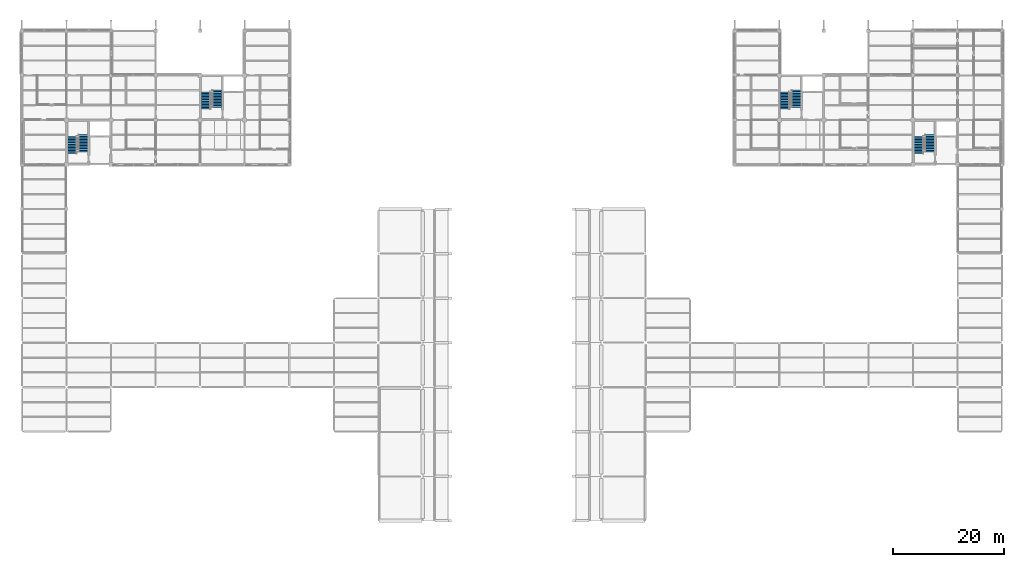
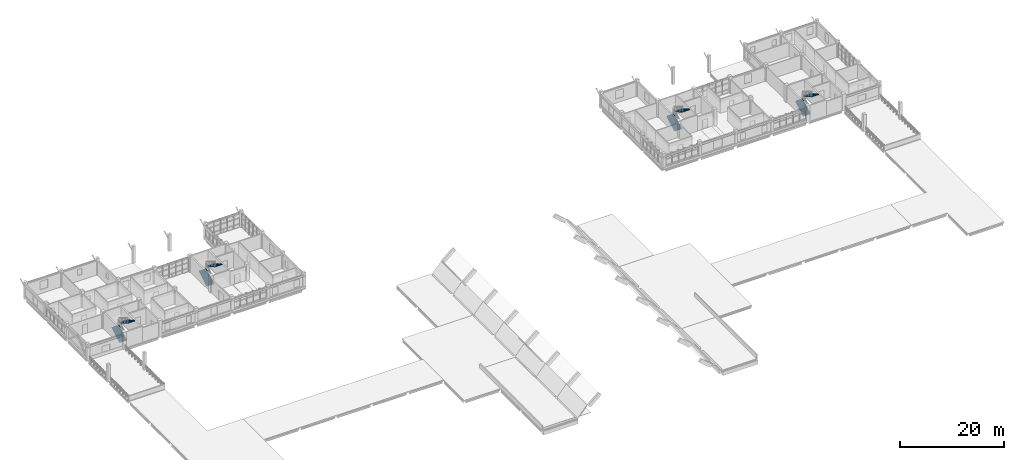
# One storey, part 29 of 35: 8 stair flights, 4 elements without a shape of their own.
"""IFC4 building model written with IfcOpenShell, lengths in metres."""

from ifc_helpers import new_model, si_unit, derived_unit, direction, frame, origin, place, context, subcontext, project, spatial, polyline, outline, extrude, material, type_object, element, aggregate, save


model = new_model("IFC4")

# Units and contexts
model_context = context("Model", 3, precision=1e-05, world=origin(), true_north=direction((0.0, 1.0)))
body_context = subcontext(model_context, "Body", "Model", "MODEL_VIEW")
ifc_project = project(units=[si_unit("LENGTHUNIT", "METRE"), si_unit("AREAUNIT", "SQUARE_METRE"), si_unit("VOLUMEUNIT", "CUBIC_METRE"), si_unit("PLANEANGLEUNIT", "RADIAN"), si_unit("MASSUNIT", "GRAM", prefix="KILO"), derived_unit("THERMALTRANSMITTANCEUNIT", [(si_unit("MASSUNIT", "GRAM", prefix="KILO"), 1), (si_unit("TIMEUNIT", "SECOND"), -3), (si_unit("THERMODYNAMICTEMPERATUREUNIT", "KELVIN"), -1)])], contexts=[model_context])

# Site, building, storey
site_placement = place(None, origin())
site = spatial("IfcSite", under=ifc_project, at=site_placement, CompositionType="ELEMENT")
building_placement = place(site_placement, origin())
building = spatial("IfcBuilding", under=site, at=building_placement, Name="Veyamyaing Civic Hall", CompositionType="ELEMENT")
storey_placement = place(building_placement, frame((0.0, 0.0, 21.780029296875)))
storey = spatial("IfcBuildingStorey", under=building, at=storey_placement, Name="L05", CompositionType="ELEMENT", Elevation=21.780029296875)

# Stair, stair flights
ifc_material = material(Name="Concrete C40/50", Category="concrete")
stair_type = type_object("IfcStairType", Name="ST-D", PredefinedType="HALF_TURN_STAIR", material=ifc_material)
stair_1_placement = place(storey_placement, origin())
stair_1 = element("IfcStair", 1, at=stair_1_placement, inside=storey, type_object=stair_type, Name="Protected exit stair ST-01 L05", PredefinedType="HALF_TURN_STAIR")
stair_flight_type = type_object("IfcStairFlightType", Name="SF-12", PredefinedType="STRAIGHT", material=ifc_material)
stair_flight_1_placement = place(storey_placement, frame((9.0400390625, 89.949951171875, 0.0), z_axis=(0.0, 0.0, 1.0), x_axis=(0.0, 1.0, 0.0)))
stair_flight_1 = element("IfcStairFlight", 2, at=stair_flight_1_placement, type_object=stair_flight_type, Name="ST-01 flight 1", NumberOfRisers=12, NumberOfTreads=11, PredefinedType="STRAIGHT", RiserHeight=0.165, TreadLength=0.28, context=body_context, shape_type="SweptSolid", body=[
    extrude(outline(polyline([(0.0, 0.0), (0.0, 0.1650390625), (0.280029296875, 0.1650390625), (0.280029296875, 0.330078125), (0.56005859375, 0.330078125), (0.56005859375, 0.4951171875), (0.840087890625, 0.4951171875), (0.840087890625, 0.659912109375), (1.1201171875, 0.659912109375), (1.1201171875, 0.824951171875), (1.39990234375, 0.824951171875), (1.39990234375, 0.989990234375), (1.679931640625, 0.989990234375), (1.679931640625, 1.155029296875), (1.9599609375, 1.155029296875), (1.9599609375, 1.320068359375), (2.239990234375, 1.320068359375), (2.239990234375, 1.485107421875), (2.52001953125, 1.485107421875), (2.52001953125, 1.64990234375), (2.800048828125, 1.64990234375), (2.800048828125, 1.81494140625), (3.080078125, 1.81494140625), (3.080078125, 1.97998046875), (3.080078125, 1.64111328125), (0.295166015625, 0.0), (0.0, 0.0)])), frame((0.0, 0.81982421875, 0.0), z_axis=(0.0, -1.0, 0.0), x_axis=(1.0, 0.0, 0.0)), (0.0, 0.0, 1.0), 1.639892578125),
])
stair_flight_2_placement = place(storey_placement, frame((11.030029296875, 93.35009765625, 1.97998046875), z_axis=(0.0, 0.0, 1.0), x_axis=(0.0, -1.0, 0.0)))
stair_flight_2 = element("IfcStairFlight", 3, at=stair_flight_2_placement, type_object=stair_flight_type, Name="ST-01 flight 2", NumberOfRisers=12, NumberOfTreads=11, PredefinedType="STRAIGHT", RiserHeight=0.165, TreadLength=0.28, context=body_context, shape_type="SweptSolid", body=[
    extrude(outline(polyline([(0.0, 0.0), (0.0, 0.1650390625), (0.280029296875, 0.1650390625), (0.280029296875, 0.330078125), (0.56005859375, 0.330078125), (0.56005859375, 0.4951171875), (0.840087890625, 0.4951171875), (0.840087890625, 0.659912109375), (1.1201171875, 0.659912109375), (1.1201171875, 0.824951171875), (1.39990234375, 0.824951171875), (1.39990234375, 0.989990234375), (1.679931640625, 0.989990234375), (1.679931640625, 1.155029296875), (1.9599609375, 1.155029296875), (1.9599609375, 1.320068359375), (2.239990234375, 1.320068359375), (2.239990234375, 1.485107421875), (2.52001953125, 1.485107421875), (2.52001953125, 1.64990234375), (2.800048828125, 1.64990234375), (2.800048828125, 1.81494140625), (3.080078125, 1.81494140625), (3.080078125, 1.97998046875), (3.080078125, 1.64111328125), (0.295166015625, 0.0), (0.0, 0.0)])), frame((0.0, 0.81982421875, 0.0), z_axis=(0.0, -1.0, 0.0), x_axis=(1.0, 0.0, 0.0)), (0.0, 0.0, 1.0), 1.639892578125),
])
aggregate(stair_1, [stair_flight_1, stair_flight_2])

stair_2_placement = place(storey_placement, origin())
stair_2 = element("IfcStair", 4, at=stair_2_placement, inside=storey, type_object=stair_type, Name="Protected exit stair ST-02 L05", PredefinedType="HALF_TURN_STAIR")
stair_flight_3_placement = place(storey_placement, frame((33.0400390625, 97.949951171875, 0.0), z_axis=(0.0, 0.0, 1.0), x_axis=(0.0, 1.0, 0.0)))
stair_flight_3 = element("IfcStairFlight", 5, at=stair_flight_3_placement, type_object=stair_flight_type, Name="ST-02 flight 1", NumberOfRisers=12, NumberOfTreads=11, PredefinedType="STRAIGHT", RiserHeight=0.165, TreadLength=0.28, context=body_context, shape_type="SweptSolid", body=[
    extrude(outline(polyline([(0.0, 0.0), (0.0, 0.1650390625), (0.280029296875, 0.1650390625), (0.280029296875, 0.330078125), (0.56005859375, 0.330078125), (0.56005859375, 0.4951171875), (0.840087890625, 0.4951171875), (0.840087890625, 0.659912109375), (1.1201171875, 0.659912109375), (1.1201171875, 0.824951171875), (1.39990234375, 0.824951171875), (1.39990234375, 0.989990234375), (1.679931640625, 0.989990234375), (1.679931640625, 1.155029296875), (1.9599609375, 1.155029296875), (1.9599609375, 1.320068359375), (2.239990234375, 1.320068359375), (2.239990234375, 1.485107421875), (2.52001953125, 1.485107421875), (2.52001953125, 1.64990234375), (2.800048828125, 1.64990234375), (2.800048828125, 1.81494140625), (3.080078125, 1.81494140625), (3.080078125, 1.97998046875), (3.080078125, 1.64111328125), (0.295166015625, 0.0), (0.0, 0.0)])), frame((0.0, 0.81982421875, 0.0), z_axis=(0.0, -1.0, 0.0), x_axis=(1.0, 0.0, 0.0)), (0.0, 0.0, 1.0), 1.639892578125),
])
stair_flight_4_placement = place(storey_placement, frame((35.030029296875, 101.35009765625, 1.97998046875), z_axis=(0.0, 0.0, 1.0), x_axis=(0.0, -1.0, 0.0)))
stair_flight_4 = element("IfcStairFlight", 6, at=stair_flight_4_placement, type_object=stair_flight_type, Name="ST-02 flight 2", NumberOfRisers=12, NumberOfTreads=11, PredefinedType="STRAIGHT", RiserHeight=0.165, TreadLength=0.28, context=body_context, shape_type="SweptSolid", body=[
    extrude(outline(polyline([(0.0, 0.0), (0.0, 0.1650390625), (0.280029296875, 0.1650390625), (0.280029296875, 0.330078125), (0.56005859375, 0.330078125), (0.56005859375, 0.4951171875), (0.840087890625, 0.4951171875), (0.840087890625, 0.659912109375), (1.1201171875, 0.659912109375), (1.1201171875, 0.824951171875), (1.39990234375, 0.824951171875), (1.39990234375, 0.989990234375), (1.679931640625, 0.989990234375), (1.679931640625, 1.155029296875), (1.9599609375, 1.155029296875), (1.9599609375, 1.320068359375), (2.239990234375, 1.320068359375), (2.239990234375, 1.485107421875), (2.52001953125, 1.485107421875), (2.52001953125, 1.64990234375), (2.800048828125, 1.64990234375), (2.800048828125, 1.81494140625), (3.080078125, 1.81494140625), (3.080078125, 1.97998046875), (3.080078125, 1.64111328125), (0.295166015625, 0.0), (0.0, 0.0)])), frame((0.0, 0.81982421875, 0.0), z_axis=(0.0, -1.0, 0.0), x_axis=(1.0, 0.0, 0.0)), (0.0, 0.0, 1.0), 1.639892578125),
])
aggregate(stair_2, [stair_flight_3, stair_flight_4])

stair_3_placement = place(storey_placement, origin())
stair_3 = element("IfcStair", 7, at=stair_3_placement, inside=storey, type_object=stair_type, Name="Protected exit stair ST-03 L05", PredefinedType="HALF_TURN_STAIR")
stair_flight_5_placement = place(storey_placement, frame((161.0400390625, 89.949951171875, 0.0), z_axis=(0.0, 0.0, 1.0), x_axis=(0.0, 1.0, 0.0)))
stair_flight_5 = element("IfcStairFlight", 8, at=stair_flight_5_placement, type_object=stair_flight_type, Name="ST-03 flight 1", NumberOfRisers=12, NumberOfTreads=11, PredefinedType="STRAIGHT", RiserHeight=0.165, TreadLength=0.28, context=body_context, shape_type="SweptSolid", body=[
    extrude(outline(polyline([(0.0, 0.0), (0.0, 0.1650390625), (0.280029296875, 0.1650390625), (0.280029296875, 0.330078125), (0.56005859375, 0.330078125), (0.56005859375, 0.4951171875), (0.840087890625, 0.4951171875), (0.840087890625, 0.659912109375), (1.1201171875, 0.659912109375), (1.1201171875, 0.824951171875), (1.39990234375, 0.824951171875), (1.39990234375, 0.989990234375), (1.679931640625, 0.989990234375), (1.679931640625, 1.155029296875), (1.9599609375, 1.155029296875), (1.9599609375, 1.320068359375), (2.239990234375, 1.320068359375), (2.239990234375, 1.485107421875), (2.52001953125, 1.485107421875), (2.52001953125, 1.64990234375), (2.800048828125, 1.64990234375), (2.800048828125, 1.81494140625), (3.080078125, 1.81494140625), (3.080078125, 1.97998046875), (3.080078125, 1.64111328125), (0.295166015625, 0.0), (0.0, 0.0)])), frame((0.0, 0.81982421875, 0.0), z_axis=(0.0, -1.0, 0.0), x_axis=(1.0, 0.0, 0.0)), (0.0, 0.0, 1.0), 1.639892578125),
])
stair_flight_6_placement = place(storey_placement, frame((163.030029296875, 93.35009765625, 1.97998046875), z_axis=(0.0, 0.0, 1.0), x_axis=(0.0, -1.0, 0.0)))
stair_flight_6 = element("IfcStairFlight", 9, at=stair_flight_6_placement, type_object=stair_flight_type, Name="ST-03 flight 2", NumberOfRisers=12, NumberOfTreads=11, PredefinedType="STRAIGHT", RiserHeight=0.165, TreadLength=0.28, context=body_context, shape_type="SweptSolid", body=[
    extrude(outline(polyline([(0.0, 0.0), (0.0, 0.1650390625), (0.280029296875, 0.1650390625), (0.280029296875, 0.330078125), (0.56005859375, 0.330078125), (0.56005859375, 0.4951171875), (0.840087890625, 0.4951171875), (0.840087890625, 0.659912109375), (1.1201171875, 0.659912109375), (1.1201171875, 0.824951171875), (1.39990234375, 0.824951171875), (1.39990234375, 0.989990234375), (1.679931640625, 0.989990234375), (1.679931640625, 1.155029296875), (1.9599609375, 1.155029296875), (1.9599609375, 1.320068359375), (2.239990234375, 1.320068359375), (2.239990234375, 1.485107421875), (2.52001953125, 1.485107421875), (2.52001953125, 1.64990234375), (2.800048828125, 1.64990234375), (2.800048828125, 1.81494140625), (3.080078125, 1.81494140625), (3.080078125, 1.97998046875), (3.080078125, 1.64111328125), (0.295166015625, 0.0), (0.0, 0.0)])), frame((0.0, 0.81982421875, 0.0), z_axis=(0.0, -1.0, 0.0), x_axis=(1.0, 0.0, 0.0)), (0.0, 0.0, 1.0), 1.639892578125),
])
aggregate(stair_3, [stair_flight_5, stair_flight_6])

stair_4_placement = place(storey_placement, origin())
stair_4 = element("IfcStair", 10, at=stair_4_placement, inside=storey, type_object=stair_type, Name="Protected exit stair ST-04 L05", PredefinedType="HALF_TURN_STAIR")
stair_flight_7_placement = place(storey_placement, frame((137.0400390625, 97.949951171875, 0.0), z_axis=(0.0, 0.0, 1.0), x_axis=(0.0, 1.0, 0.0)))
stair_flight_7 = element("IfcStairFlight", 11, at=stair_flight_7_placement, type_object=stair_flight_type, Name="ST-04 flight 1", NumberOfRisers=12, NumberOfTreads=11, PredefinedType="STRAIGHT", RiserHeight=0.165, TreadLength=0.28, context=body_context, shape_type="SweptSolid", body=[
    extrude(outline(polyline([(0.0, 0.0), (0.0, 0.1650390625), (0.280029296875, 0.1650390625), (0.280029296875, 0.330078125), (0.56005859375, 0.330078125), (0.56005859375, 0.4951171875), (0.840087890625, 0.4951171875), (0.840087890625, 0.659912109375), (1.1201171875, 0.659912109375), (1.1201171875, 0.824951171875), (1.39990234375, 0.824951171875), (1.39990234375, 0.989990234375), (1.679931640625, 0.989990234375), (1.679931640625, 1.155029296875), (1.9599609375, 1.155029296875), (1.9599609375, 1.320068359375), (2.239990234375, 1.320068359375), (2.239990234375, 1.485107421875), (2.52001953125, 1.485107421875), (2.52001953125, 1.64990234375), (2.800048828125, 1.64990234375), (2.800048828125, 1.81494140625), (3.080078125, 1.81494140625), (3.080078125, 1.97998046875), (3.080078125, 1.64111328125), (0.295166015625, 0.0), (0.0, 0.0)])), frame((0.0, 0.81982421875, 0.0), z_axis=(0.0, -1.0, 0.0), x_axis=(1.0, 0.0, 0.0)), (0.0, 0.0, 1.0), 1.639892578125),
])
stair_flight_8_placement = place(storey_placement, frame((139.030029296875, 101.35009765625, 1.97998046875), z_axis=(0.0, 0.0, 1.0), x_axis=(0.0, -1.0, 0.0)))
stair_flight_8 = element("IfcStairFlight", 12, at=stair_flight_8_placement, type_object=stair_flight_type, Name="ST-04 flight 2", NumberOfRisers=12, NumberOfTreads=11, PredefinedType="STRAIGHT", RiserHeight=0.165, TreadLength=0.28, context=body_context, shape_type="SweptSolid", body=[
    extrude(outline(polyline([(0.0, 0.0), (0.0, 0.1650390625), (0.280029296875, 0.1650390625), (0.280029296875, 0.330078125), (0.56005859375, 0.330078125), (0.56005859375, 0.4951171875), (0.840087890625, 0.4951171875), (0.840087890625, 0.659912109375), (1.1201171875, 0.659912109375), (1.1201171875, 0.824951171875), (1.39990234375, 0.824951171875), (1.39990234375, 0.989990234375), (1.679931640625, 0.989990234375), (1.679931640625, 1.155029296875), (1.9599609375, 1.155029296875), (1.9599609375, 1.320068359375), (2.239990234375, 1.320068359375), (2.239990234375, 1.485107421875), (2.52001953125, 1.485107421875), (2.52001953125, 1.64990234375), (2.800048828125, 1.64990234375), (2.800048828125, 1.81494140625), (3.080078125, 1.81494140625), (3.080078125, 1.97998046875), (3.080078125, 1.64111328125), (0.295166015625, 0.0), (0.0, 0.0)])), frame((0.0, 0.81982421875, 0.0), z_axis=(0.0, -1.0, 0.0), x_axis=(1.0, 0.0, 0.0)), (0.0, 0.0, 1.0), 1.639892578125),
])
aggregate(stair_4, [stair_flight_7, stair_flight_8])

save(model, "model.ifc")
